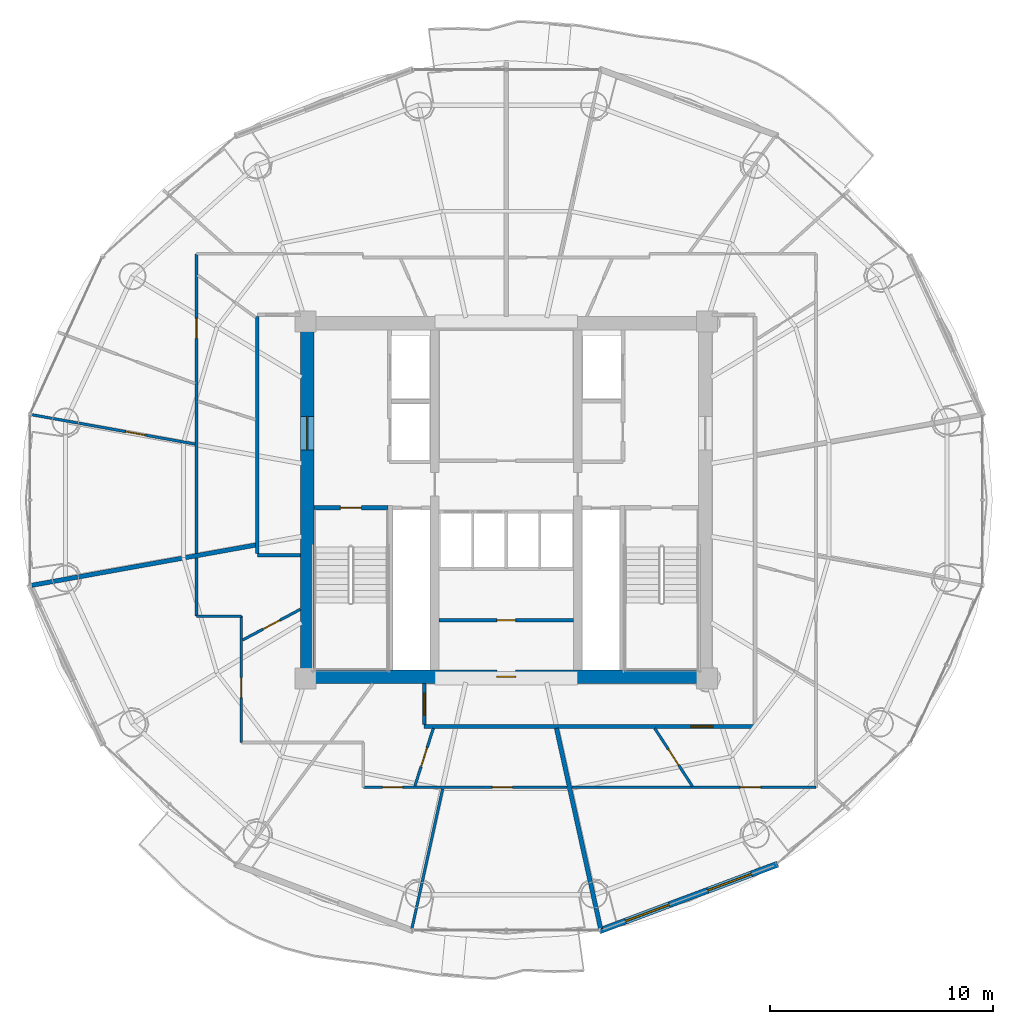
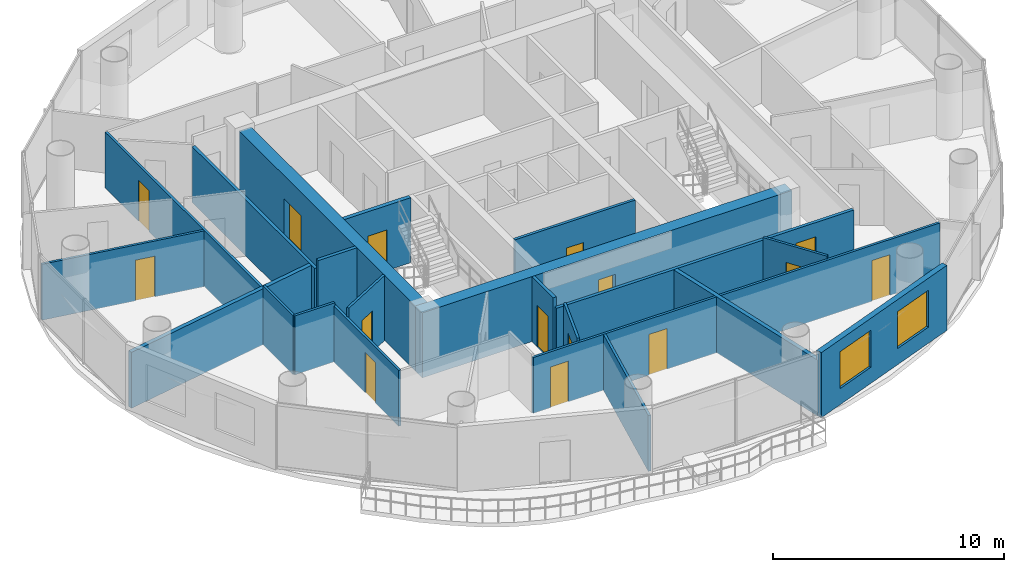
# One storey, part 20 of 27: 22 walls, 15 doors, 2 windows, 17 openings.
"""IFC4 building model written with IfcOpenShell, lengths in metres."""

from ifc_helpers import new_model, si_unit, direction, frame, frame_2d, origin, place, context, subcontext, project, spatial, rectangle, extrude, source, transform, mapped, material, layer, layer_set, type_object, element, fill, save


model = new_model("IFC4")

# Units and contexts
model_context = context("Model", 3, precision=1e-05, world=origin(), true_north=direction((-0.2419218956, 0.970295726276)))
body_context = subcontext(model_context, "Body", "Model", "MODEL_VIEW")
ifc_project = project(units=[si_unit("LENGTHUNIT", "METRE"), si_unit("AREAUNIT", "SQUARE_METRE"), si_unit("VOLUMEUNIT", "CUBIC_METRE"), si_unit("PLANEANGLEUNIT", "RADIAN"), si_unit("MASSUNIT", "GRAM", prefix="KILO")], contexts=[model_context])

# Site, building, storey
site_placement = place(None, origin())
site = spatial("IfcSite", under=ifc_project, at=site_placement, CompositionType="ELEMENT")
building_placement = place(site_placement, origin())
building = spatial("IfcBuilding", under=site, at=building_placement, Name="Cobrevalo Terracotta Tower", CompositionType="ELEMENT")
storey_placement = place(building_placement, frame((0.0, 0.0, 191.199951171875)))
storey = spatial("IfcBuildingStorey", under=building, at=storey_placement, Name="L50", CompositionType="ELEMENT", Elevation=191.199951171875)

# Wall, opening, door
ifc_material_1 = material(Name="Concrete C55", Category="concrete")
ifc_layer_1 = layer(ifc_material_1, 0.60009765625)
ifc_layer_set_1 = layer_set([ifc_layer_1], Name="Concrete C55")
wall_type_1 = type_object("IfcWallType", Name="Core shear wall 600 mm Concrete C55", PredefinedType="SHEAR", material=ifc_layer_set_1)
wall_1_placement = place(storey_placement, frame((28.77490234375, 18.875, 0.0), z_axis=(0.0, 0.0, 1.0), x_axis=(1.0, 0.0, 0.0)))
wall_1 = element("IfcWall", 1, at=wall_1_placement, inside=storey, type_object=wall_type_1, Name="L50 south core shear wall", PredefinedType="SHEAR", context=body_context, shape_type="SweptSolid", body=[
    extrude(rectangle(XDim=18.4501953125, YDim=0.60009765625, at=frame_2d((9.22509765625, 0.0))), origin(), (0.0, 0.0, 1.0), 3.43505859375),
])
opening_1_placement = place(wall_1_placement, frame((8.800048828125, 0.0, 0.0)))
opening_1 = element("IfcOpeningElement", 2, at=opening_1_placement, cuts=wall_1, Name="Opening ID-22", PredefinedType="OPENING", context=body_context, shape_type="SweptSolid", body=[
    extrude(rectangle(XDim=0.85009765625, YDim=2.10009765625, at=frame_2d((0.425048828125, 1.050048828125))), frame((0.0, 0.31005859375, 0.0), z_axis=(0.0, -1.0, 0.0), x_axis=(1.0, 0.0, 0.0)), (0.0, 0.0, 1.0), 0.6201171875),
])
ifc_material_2 = material(Name="Powder-coated steel", Category="steel")
door_type_1 = type_object("IfcDoorType", Name="Riser shaft & meter closet fire access door 850x2100 EI 60", OperationType="NOTDEFINED", PredefinedType="DOOR", material=ifc_material_2)
shared_shape_1 = source(origin(), body_context, "Body", "SweptSolid", [
    extrude(rectangle(XDim=0.85009765625, YDim=2.10009765625, at=frame_2d((0.425048828125, 1.050048828125))), frame((0.0, 0.02490234375, 0.0), z_axis=(0.0, -1.0, 0.0), x_axis=(1.0, 0.0, 0.0)), (0.0, 0.0, 1.0), 0.050048828125),
])
door_1_placement = place(opening_1_placement, origin())
door_1 = element("IfcDoor", 3, at=door_1_placement, inside=storey, type_object=door_type_1, Name="L50 core south plant door Smoke Extract Fan Plant", OperationType="SINGLE_SWING_RIGHT", OverallHeight=2.10009765625, OverallWidth=0.85009765625, PredefinedType="DOOR", context=body_context, shape_type="MappedRepresentation", body=[
    mapped(shared_shape_1, transform((0.0, 0.0, 0.0), scale=1.0)),
])
fill(opening_1, door_1)

wall_2_placement = place(storey_placement, frame((29.074951171875, 19.175048828125, 0.0), z_axis=(0.0, 0.0, 1.0), x_axis=(0.0, 1.0, 0.0)))
wall_2 = element("IfcWall", 4, at=wall_2_placement, inside=storey, type_object=wall_type_1, Name="L50 west core shear wall", PredefinedType="SHEAR", context=body_context, shape_type="SweptSolid", body=[
    extrude(rectangle(XDim=15.25, YDim=0.60009765625, at=frame_2d((7.625, 0.0))), origin(), (0.0, 0.0, 1.0), 3.43505859375),
])
opening_2_placement = place(wall_2_placement, frame((9.875, 0.0, 0.0)))
opening_2 = element("IfcOpeningElement", 5, at=opening_2_placement, cuts=wall_2, Name="Opening ID-14", PredefinedType="OPENING", context=body_context, shape_type="SweptSolid", body=[
    extrude(rectangle(XDim=1.5, YDim=2.199951171875, at=frame_2d((0.75, 1.10009765625))), frame((0.0, 0.31005859375, 0.0), z_axis=(0.0, -1.0, 0.0), x_axis=(1.0, 0.0, 0.0)), (0.0, 0.0, 1.0), 0.6201171875),
])
ifc_material_3 = material(Name="Galvanized fire-rated steel", Category="steel")
door_type_2 = type_object("IfcDoorType", Name="Core cross-lobby double fire door 1500x2200 EI 90", OperationType="NOTDEFINED", PredefinedType="DOOR", material=ifc_material_3)
shared_shape_2 = source(origin(), body_context, "Body", "SweptSolid", [
    extrude(rectangle(XDim=1.5, YDim=2.199951171875, at=frame_2d((0.75, 1.10009765625))), frame((0.0, 0.02490234375, 0.0), z_axis=(0.0, -1.0, 0.0), x_axis=(1.0, 0.0, 0.0)), (0.0, 0.0, 1.0), 0.050048828125),
])
door_2_placement = place(opening_2_placement, origin())
door_2 = element("IfcDoor", 6, at=door_2_placement, inside=storey, type_object=door_type_2, Name="L50 west firefighting lobby entrance door", OperationType="DOUBLE_DOOR_SINGLE_SWING", OverallHeight=2.199951171875, OverallWidth=1.5, PredefinedType="DOOR", context=body_context, shape_type="MappedRepresentation", body=[
    mapped(shared_shape_2, transform((0.0, 0.0, 0.0), scale=1.0)),
])
fill(opening_2, door_2)

# Walls
ifc_material_4 = material(Name="Gypsum board on steel stud", Category="steel")
ifc_layer_2 = layer(ifc_material_4, 0.159912109375)
ifc_layer_set_2 = layer_set([ifc_layer_2], Name="Gypsum board on steel stud")
wall_type_2 = type_object("IfcWallType", Name="Fire-rated corridor acoustic partition wall 160 mm", PredefinedType="PARTITIONING", material=ifc_layer_set_2)
wall_3_placement = place(storey_placement, frame((26.844970703125, 24.39990234375, 0.0), z_axis=(0.0, 0.0, 1.0), x_axis=(0.0, 1.0, 0.0)))
element("IfcWall", 7, at=wall_3_placement, inside=storey, type_object=wall_type_2, Name="L50 interior partition IW-L50-COR-W", PredefinedType="PARTITIONING", context=body_context, shape_type="SweptSolid", body=[
    extrude(rectangle(XDim=10.625, YDim=0.159912109375, at=frame_2d((5.3125, 0.0))), origin(), (0.0, 0.0, 1.0), 2.950927734375),
])
wall_4_placement = place(storey_placement, frame((26.844970703125, 24.320068359375, 0.0), z_axis=(0.0, 0.0, 1.0), x_axis=(1.0, 0.0, 0.0)))
element("IfcWall", 8, at=wall_4_placement, inside=storey, type_object=wall_type_2, Name="L50 interior partition IW-L50-COR-WS-CAP", PredefinedType="PARTITIONING", context=body_context, shape_type="SweptSolid", body=[
    extrude(rectangle(XDim=1.929931640625, YDim=0.159912109375, at=frame_2d((0.96484375, 0.0))), origin(), (0.0, 0.0, 1.0), 3.43505859375),
])

# Wall, opening, door
wall_5_placement = place(storey_placement, frame((34.320068359375, 16.64501953125, 0.0), z_axis=(0.0, 0.0, 1.0), x_axis=(1.0, 0.0, 0.0)))
wall_5 = element("IfcWall", 9, at=wall_5_placement, inside=storey, type_object=wall_type_2, Name="L50 interior partition IW-L50-COR-S", PredefinedType="PARTITIONING", context=body_context, shape_type="SweptSolid", body=[
    extrude(rectangle(XDim=14.8349609375, YDim=0.159912109375, at=frame_2d((7.41748046875, 0.0))), origin(), (0.0, 0.0, 1.0), 2.950927734375),
])
opening_3_placement = place(wall_5_placement, frame((11.96142578125, 0.0, 0.0)))
opening_3 = element("IfcOpeningElement", 10, at=opening_3_placement, cuts=wall_5, Name="Opening ID-05", PredefinedType="OPENING", context=body_context, shape_type="SweptSolid", body=[
    extrude(rectangle(XDim=0.97998046875, YDim=2.199951171875, at=frame_2d((0.489990234375, 1.10009765625))), frame((0.0, 0.08984375, 0.0), z_axis=(0.0, -1.0, 0.0), x_axis=(1.0, 0.0, 0.0)), (0.0, 0.0, 1.0), 0.179931640625),
])
ifc_material_5 = material(Name="Solid hardwood timber", Category="wood")
door_type_3 = type_object("IfcDoorType", Name="Residence entrance fire-rated acoustic timber door 980x2200 EI 60", OperationType="NOTDEFINED", PredefinedType="DOOR", material=ifc_material_5)
shared_shape_3 = source(origin(), body_context, "Body", "SweptSolid", [
    extrude(rectangle(XDim=0.97998046875, YDim=2.199951171875, at=frame_2d((0.489990234375, 1.10009765625))), frame((0.0, 0.02490234375, 0.0), z_axis=(0.0, -1.0, 0.0), x_axis=(1.0, 0.0, 0.0)), (0.0, 0.0, 1.0), 0.050048828125),
])
door_3_placement = place(opening_3_placement, origin())
door_3 = element("IfcDoor", 11, at=door_3_placement, inside=storey, type_object=door_type_3, Name="Flat L50D fire-rated apartment entrance door", OperationType="SINGLE_SWING_LEFT", OverallHeight=2.199951171875, OverallWidth=0.97998046875, PredefinedType="DOOR", context=body_context, shape_type="MappedRepresentation", body=[
    mapped(shared_shape_3, transform((0.0, 0.0, 0.0), scale=1.0)),
])
fill(opening_3, door_3)

wall_6_placement = place(storey_placement, frame((34.320068359375, 16.72509765625, 0.0), z_axis=(0.0, 0.0, 1.0), x_axis=(0.0, 1.0, 0.0)))
wall_6 = element("IfcWall", 12, at=wall_6_placement, inside=storey, type_object=wall_type_2, Name="L50 interior partition IW-L50-COR-SW-CAP", PredefinedType="PARTITIONING", context=body_context, shape_type="SweptSolid", body=[
    extrude(rectangle(XDim=1.849853515625, YDim=0.159912109375, at=frame_2d((0.9248046875, 0.0))), origin(), (0.0, 0.0, 1.0), 3.43505859375),
])
opening_4_placement = place(wall_6_placement, frame((0.43505859375, 0.0, 0.0)))
opening_4 = element("IfcOpeningElement", 13, at=opening_4_placement, cuts=wall_6, Name="Opening ID-05", PredefinedType="OPENING", context=body_context, shape_type="SweptSolid", body=[
    extrude(rectangle(XDim=0.97998046875, YDim=2.199951171875, at=frame_2d((0.489990234375, 1.10009765625))), frame((0.0, 0.08984375, 0.0), z_axis=(0.0, -1.0, 0.0), x_axis=(1.0, 0.0, 0.0)), (0.0, 0.0, 1.0), 0.179931640625),
])
door_4_placement = place(opening_4_placement, origin())
door_4 = element("IfcDoor", 14, at=door_4_placement, inside=storey, type_object=door_type_3, Name="Flat L50C fire-rated apartment entrance door", OperationType="SINGLE_SWING_RIGHT", OverallHeight=2.199951171875, OverallWidth=0.97998046875, PredefinedType="DOOR", context=body_context, shape_type="MappedRepresentation", body=[
    mapped(shared_shape_3, transform((0.0, 0.0, 0.0), scale=1.0)),
])
fill(opening_4, door_4)

# Walls
ifc_material_6 = material(Name="Autoclaved aerated concrete block", Category="concrete")
ifc_layer_3 = layer(ifc_material_6, 0.199951171875)
ifc_layer_set_3 = layer_set([ifc_layer_3], Name="Autoclaved aerated concrete block")
wall_type_3 = type_object("IfcWallType", Name="Fire-rated stair, shaft & demising masonry wall 200 mm", PredefinedType="PARTITIONING", material=ifc_layer_set_3)
wall_7_placement = place(storey_placement, frame((26.764892578125, 24.780517578125, 0.0), z_axis=(0.0, 0.0, 1.0), x_axis=(-0.984226684914, -0.176911934879, 0.0)))
element("IfcWall", 15, at=wall_7_placement, inside=storey, type_object=wall_type_3, Name="L50 interior partition IW-L50-DEM-3", PredefinedType="PARTITIONING", context=body_context, shape_type="SweptSolid", body=[
    extrude(rectangle(XDim=10.202392578125, YDim=0.199951171875, at=frame_2d((5.10107421875, 0.0))), origin(), (0.0, 0.0, 1.0), 2.950927734375),
])
wall_8_placement = place(storey_placement, frame((40.2529296875, 16.56494140625, 0.0), z_axis=(0.0, 0.0, 1.0), x_axis=(0.214957946814, -0.976623305631, 0.0)))
element("IfcWall", 16, at=wall_8_placement, inside=storey, type_object=wall_type_3, Name="L50 interior partition IW-L50-DEM-4", PredefinedType="PARTITIONING", context=body_context, shape_type="SweptSolid", body=[
    extrude(rectangle(XDim=9.201904296875, YDim=0.199951171875, at=frame_2d((4.60107421875, 0.0))), origin(), (0.0, 0.0, 1.0), 2.950927734375),
])

# Wall, openings, windows
ifc_layer_4 = layer(ifc_material_6, 0.280029296875)
ifc_layer_set_4 = layer_set([ifc_layer_4], Name="Autoclaved aerated concrete block")
wall_type_4 = type_object("IfcWallType", Name="Insulated tower spandrel & pier wall 280 mm with terracotta rainscreen", PredefinedType="SOLIDWALL", material=ifc_layer_set_4)
wall_9_placement = place(storey_placement, frame((42.172119140625, 7.47998046875, 0.0), z_axis=(0.0, 0.0, 1.0), x_axis=(0.936556918375, 0.350515532672, 0.0)))
wall_9 = element("IfcWall", 17, at=wall_9_placement, inside=storey, type_object=wall_type_4, Name="L50 terracotta rainscreen pier wall S13", PredefinedType="SOLIDWALL", context=body_context, shape_type="SweptSolid", body=[
    extrude(rectangle(XDim=8.539306640625, YDim=0.280029296875, at=frame_2d((4.26953125, 0.0))), origin(), (0.0, 0.0, 1.0), 3.43505859375),
])
opening_5_placement = place(wall_9_placement, frame((1.255615234375, 0.0, 0.85009765625)))
opening_5 = element("IfcOpeningElement", 18, at=opening_5_placement, cuts=wall_9, Name="Opening WN-10", PredefinedType="OPENING", context=body_context, shape_type="SweptSolid", body=[
    extrude(rectangle(XDim=2.10009765625, YDim=1.949951171875, at=frame_2d((1.050048828125, 0.97509765625))), frame((0.0, 0.14990234375, 0.0), z_axis=(0.0, -1.0, 0.0), x_axis=(1.0, 0.0, 0.0)), (0.0, 0.0, 1.0), 0.300048828125),
])
opening_6_placement = place(wall_9_placement, frame((5.18359375, 0.0, 0.85009765625)))
opening_6 = element("IfcOpeningElement", 19, at=opening_6_placement, cuts=wall_9, Name="Opening WN-10", PredefinedType="OPENING", context=body_context, shape_type="SweptSolid", body=[
    extrude(rectangle(XDim=2.10009765625, YDim=1.949951171875, at=frame_2d((1.050048828125, 0.97509765625))), frame((0.0, 0.14990234375, 0.0), z_axis=(0.0, -1.0, 0.0), x_axis=(1.0, 0.0, 0.0)), (0.0, 0.0, 1.0), 0.300048828125),
])
ifc_material_7 = material(Name="Solar-control low-E double glazing", Category="glass")
window_type = type_object("IfcWindowType", Name="Wide panoramic low-E aluminium window 2100x1950", PartitioningType="SINGLE_PANEL", PredefinedType="WINDOW", material=ifc_material_7)
shared_shape_4 = source(origin(), body_context, "Body", "SweptSolid", [
    extrude(rectangle(XDim=2.10009765625, YDim=1.949951171875, at=frame_2d((1.050048828125, 0.97509765625))), frame((0.0, 0.030029296875, 0.0), z_axis=(0.0, -1.0, 0.0), x_axis=(1.0, 0.0, 0.0)), (0.0, 0.0, 1.0), 0.06005859375),
])
window_1_placement = place(opening_5_placement, origin())
window_1 = element("IfcWindow", 20, at=window_1_placement, inside=storey, type_object=window_type, Name="L50 suite window S13A", OverallHeight=1.949951171875, OverallWidth=2.10009765625, PartitioningType="SINGLE_PANEL", PredefinedType="WINDOW", context=body_context, shape_type="MappedRepresentation", body=[
    mapped(shared_shape_4, transform((0.0, 0.0, 0.0), scale=1.0)),
])
fill(opening_5, window_1)
window_2_placement = place(opening_6_placement, origin())
window_2 = element("IfcWindow", 21, at=window_2_placement, inside=storey, type_object=window_type, Name="L50 suite window S13B", OverallHeight=1.949951171875, OverallWidth=2.10009765625, PartitioningType="SINGLE_PANEL", PredefinedType="WINDOW", context=body_context, shape_type="MappedRepresentation", body=[
    mapped(shared_shape_4, transform((0.0, 0.0, 0.0), scale=1.0)),
])
fill(opening_6, window_2)

# Wall, opening, door
ifc_layer_5 = layer(ifc_material_6, 0.139892578125)
ifc_layer_set_5 = layer_set([ifc_layer_5], Name="Autoclaved aerated concrete block")
wall_type_5 = type_object("IfcWallType", Name="Moisture-resistant wet-room & core service partition 140 mm", PredefinedType="PARTITIONING", material=ifc_layer_set_5)
wall_10_placement = place(storey_placement, frame((34.989990234375, 21.407470703125, 0.0), z_axis=(0.0, 0.0, 1.0), x_axis=(1.0, 0.0, 0.0)))
wall_10 = element("IfcWall", 22, at=wall_10_placement, inside=storey, type_object=wall_type_5, Name="L50 interior partition IW-L50-KVS-H", PredefinedType="PARTITIONING", context=body_context, shape_type="SweptSolid", body=[
    extrude(rectangle(XDim=6.02001953125, YDim=0.139892578125, at=frame_2d((3.010009765625, 0.0))), origin(), (0.0, 0.0, 1.0), 3.43505859375),
])
opening_7_placement = place(wall_10_placement, frame((2.5849609375, 0.0, 0.0)))
opening_7 = element("IfcOpeningElement", 23, at=opening_7_placement, cuts=wall_10, Name="Opening ID-22", PredefinedType="OPENING", context=body_context, shape_type="SweptSolid", body=[
    extrude(rectangle(XDim=0.85009765625, YDim=2.10009765625, at=frame_2d((0.425048828125, 1.050048828125))), frame((0.0, 0.080078125, 0.0), z_axis=(0.0, -1.0, 0.0), x_axis=(1.0, 0.0, 0.0)), (0.0, 0.0, 1.0), 0.159912109375),
])
door_5_placement = place(opening_7_placement, origin())
door_5 = element("IfcDoor", 24, at=door_5_placement, inside=storey, type_object=door_type_1, Name="L50 core manifold inner door", OperationType="SINGLE_SWING_LEFT", OverallHeight=2.10009765625, OverallWidth=0.85009765625, PredefinedType="DOOR", context=body_context, shape_type="MappedRepresentation", body=[
    mapped(shared_shape_1, transform((0.0, 0.0, 0.0), scale=1.0)),
])
fill(opening_7, door_5)

ifc_layer_6 = layer(ifc_material_4, 0.1201171875)
ifc_layer_set_6 = layer_set([ifc_layer_6], Name="Gypsum board on steel stud")
wall_type_6 = type_object("IfcWallType", Name="Residential internal acoustic stud partition 120 mm", PredefinedType="PARTITIONING", material=ifc_layer_set_6)
wall_11_placement = place(storey_placement, frame((24.114990234375, 24.40625, 0.0), z_axis=(0.0, 0.0, 1.0), x_axis=(0.0, 1.0, 0.0)))
wall_11 = element("IfcWall", 25, at=wall_11_placement, inside=storey, type_object=wall_type_6, Name="L50 interior partition IW-L50-U2-RING0_0", PredefinedType="PARTITIONING", context=body_context, shape_type="SweptSolid", body=[
    extrude(rectangle(XDim=13.4287109375, YDim=0.1201171875, at=frame_2d((6.71435546875, 0.0))), origin(), (0.0, 0.0, 1.0), 2.950927734375),
])
opening_8_placement = place(wall_11_placement, frame((9.640869140625, 0.0, 0.0)))
opening_8 = element("IfcOpeningElement", 26, at=opening_8_placement, cuts=wall_11, Name="Opening ID-12", PredefinedType="OPENING", context=body_context, shape_type="SweptSolid", body=[
    extrude(rectangle(XDim=0.89990234375, YDim=2.14990234375, at=frame_2d((0.449951171875, 1.074951171875))), frame((0.0, 0.070068359375, 0.0), z_axis=(0.0, -1.0, 0.0), x_axis=(1.0, 0.0, 0.0)), (0.0, 0.0, 1.0), 0.14013671875),
])
ifc_material_8 = material(Name="Engineered timber", Category="wood")
door_type_4 = type_object("IfcDoorType", Name="Internal residence & suite timber door 900x2150", OperationType="NOTDEFINED", PredefinedType="DOOR", material=ifc_material_8)
shared_shape_5 = source(origin(), body_context, "Body", "SweptSolid", [
    extrude(rectangle(XDim=0.89990234375, YDim=2.14990234375, at=frame_2d((0.449951171875, 1.074951171875))), frame((0.0, 0.02490234375, 0.0), z_axis=(0.0, -1.0, 0.0), x_axis=(1.0, 0.0, 0.0)), (0.0, 0.0, 1.0), 0.050048828125),
])
door_6_placement = place(opening_8_placement, origin())
door_6 = element("IfcDoor", 27, at=door_6_placement, inside=storey, type_object=door_type_4, Name="Flat L50B Master Bedroom internal door", OperationType="SINGLE_SWING_LEFT", OverallHeight=2.14990234375, OverallWidth=0.89990234375, PredefinedType="DOOR", context=body_context, shape_type="MappedRepresentation", body=[
    mapped(shared_shape_5, transform((0.0, 0.0, 0.0), scale=1.0)),
])
fill(opening_8, door_6)

wall_12_placement = place(storey_placement, frame((24.053955078125, 29.306884765625, 0.0), z_axis=(0.0, 0.0, 1.0), x_axis=(-0.984227185588, 0.176909149424, 0.0)))
wall_12 = element("IfcWall", 28, at=wall_12_placement, inside=storey, type_object=wall_type_6, Name="L50 interior partition IW-L50-U2-ORAD3M1", PredefinedType="PARTITIONING", context=body_context, shape_type="SweptSolid", body=[
    extrude(rectangle(XDim=7.447998046875, YDim=0.1201171875, at=frame_2d((3.72412109375, 0.0))), origin(), (0.0, 0.0, 1.0), 2.950927734375),
])
opening_9_placement = place(wall_12_placement, frame((2.263916015625, 0.0, 0.0)))
opening_9 = element("IfcOpeningElement", 29, at=opening_9_placement, cuts=wall_12, Name="Opening ID-12", PredefinedType="OPENING", context=body_context, shape_type="SweptSolid", body=[
    extrude(rectangle(XDim=0.89990234375, YDim=2.14990234375, at=frame_2d((0.449951171875, 1.074951171875))), frame((0.0, 0.070068359375, 0.0), z_axis=(0.0, -1.0, 0.0), x_axis=(1.0, 0.0, 0.0)), (0.0, 0.0, 1.0), 0.14013671875),
])
door_7_placement = place(opening_9_placement, origin())
door_7 = element("IfcDoor", 30, at=door_7_placement, inside=storey, type_object=door_type_4, Name="Flat L50B Penthouse Family Lounge internal door", OperationType="SINGLE_SWING_LEFT", OverallHeight=2.14990234375, OverallWidth=0.89990234375, PredefinedType="DOOR", context=body_context, shape_type="MappedRepresentation", body=[
    mapped(shared_shape_5, transform((0.0, 0.0, 0.0), scale=1.0)),
])
fill(opening_9, door_7)

# Wall, openings, doors
wall_13_placement = place(storey_placement, frame((40.734130859375, 13.9150390625, 0.0), z_axis=(0.0, 0.0, 1.0), x_axis=(-1.0, 0.0, 0.0)))
wall_13 = element("IfcWall", 31, at=wall_13_placement, inside=storey, type_object=wall_type_6, Name="L50 interior partition IW-L50-U3-RING0_0", PredefinedType="PARTITIONING", context=body_context, shape_type="SweptSolid", body=[
    extrude(rectangle(XDim=9.14404296875, YDim=0.1201171875, at=frame_2d((4.572021484375, 0.0))), origin(), (0.0, 0.0, 1.0), 2.950927734375),
])
opening_10_placement = place(wall_13_placement, frame((7.38134765625, 0.0, 0.0)))
opening_10 = element("IfcOpeningElement", 32, at=opening_10_placement, cuts=wall_13, Name="Opening ID-12", PredefinedType="OPENING", context=body_context, shape_type="SweptSolid", body=[
    extrude(rectangle(XDim=0.89990234375, YDim=2.14990234375, at=frame_2d((0.449951171875, 1.074951171875))), frame((0.0, 0.070068359375, 0.0), z_axis=(0.0, -1.0, 0.0), x_axis=(1.0, 0.0, 0.0)), (0.0, 0.0, 1.0), 0.14013671875),
])
opening_11_placement = place(wall_13_placement, frame((2.4580078125, 0.0, 0.0)))
opening_11 = element("IfcOpeningElement", 33, at=opening_11_placement, cuts=wall_13, Name="Opening ID-12", PredefinedType="OPENING", context=body_context, shape_type="SweptSolid", body=[
    extrude(rectangle(XDim=0.89990234375, YDim=2.14990234375, at=frame_2d((0.449951171875, 1.074951171875))), frame((0.0, 0.070068359375, 0.0), z_axis=(0.0, -1.0, 0.0), x_axis=(1.0, 0.0, 0.0)), (0.0, 0.0, 1.0), 0.14013671875),
])
door_8_placement = place(opening_10_placement, origin())
door_8 = element("IfcDoor", 34, at=door_8_placement, inside=storey, type_object=door_type_4, Name="Flat L50C Master Bedroom internal door", OperationType="SINGLE_SWING_LEFT", OverallHeight=2.14990234375, OverallWidth=0.89990234375, PredefinedType="DOOR", context=body_context, shape_type="MappedRepresentation", body=[
    mapped(shared_shape_5, transform((0.0, 0.0, 0.0), scale=1.0)),
])
fill(opening_10, door_8)
door_9_placement = place(opening_11_placement, origin())
door_9 = element("IfcDoor", 35, at=door_9_placement, inside=storey, type_object=door_type_4, Name="Flat L50C Penthouse Family Lounge internal door", OperationType="SINGLE_SWING_RIGHT", OverallHeight=2.14990234375, OverallWidth=0.89990234375, PredefinedType="DOOR", context=body_context, shape_type="MappedRepresentation", body=[
    mapped(shared_shape_5, transform((0.0, 0.0, 0.0), scale=1.0)),
])
fill(opening_11, door_9)

# Wall, opening, door
wall_14_placement = place(storey_placement, frame((26.125, 15.925048828125, 0.0), z_axis=(0.0, 0.0, 1.0), x_axis=(0.0, 1.0, 0.0)))
wall_14 = element("IfcWall", 36, at=wall_14_placement, inside=storey, type_object=wall_type_6, Name="L50 interior partition IW-L50-U3-RING3_0", PredefinedType="PARTITIONING", context=body_context, shape_type="SweptSolid", body=[
    extrude(rectangle(XDim=5.6650390625, YDim=0.1201171875, at=frame_2d((2.83251953125, 0.0))), origin(), (0.0, 0.0, 1.0), 2.950927734375),
])
opening_12_placement = place(wall_14_placement, frame((2.01025390625, 0.0, 0.0)))
opening_12 = element("IfcOpeningElement", 37, at=opening_12_placement, cuts=wall_14, Name="Opening ID-12", PredefinedType="OPENING", context=body_context, shape_type="SweptSolid", body=[
    extrude(rectangle(XDim=0.89990234375, YDim=2.14990234375, at=frame_2d((0.449951171875, 1.074951171875))), frame((0.0, 0.070068359375, 0.0), z_axis=(0.0, -1.0, 0.0), x_axis=(1.0, 0.0, 0.0)), (0.0, 0.0, 1.0), 0.14013671875),
])
door_10_placement = place(opening_12_placement, origin())
door_10 = element("IfcDoor", 38, at=door_10_placement, inside=storey, type_object=door_type_4, Name="Flat L50C Living and Dining Room internal door", OperationType="SINGLE_SWING_LEFT", OverallHeight=2.14990234375, OverallWidth=0.89990234375, PredefinedType="DOOR", context=body_context, shape_type="MappedRepresentation", body=[
    mapped(shared_shape_5, transform((0.0, 0.0, 0.0), scale=1.0)),
])
fill(opening_12, door_10)

# Walls
wall_15_placement = place(storey_placement, frame((26.125, 21.590087890625, 0.0), z_axis=(0.0, 0.0, 1.0), x_axis=(-1.0, 0.0, 0.0)))
element("IfcWall", 39, at=wall_15_placement, inside=storey, type_object=wall_type_6, Name="L50 interior partition IW-L50-U3-RING4_0", PredefinedType="PARTITIONING", context=body_context, shape_type="SweptSolid", body=[
    extrude(rectangle(XDim=2.010009765625, YDim=0.1201171875, at=frame_2d((1.0048828125, 0.0))), origin(), (0.0, 0.0, 1.0), 3.110107421875),
])
wall_16_placement = place(storey_placement, frame((24.114990234375, 21.590087890625, 0.0), z_axis=(0.0, 0.0, 1.0), x_axis=(0.0, 1.0, 0.0)))
element("IfcWall", 40, at=wall_16_placement, inside=storey, type_object=wall_type_6, Name="L50 interior partition IW-L50-U3-RING5_0", PredefinedType="PARTITIONING", context=body_context, shape_type="SweptSolid", body=[
    extrude(rectangle(XDim=2.612060546875, YDim=0.1201171875, at=frame_2d((1.30615234375, 0.0))), origin(), (0.0, 0.0, 1.0), 3.110107421875),
])
wall_17_placement = place(storey_placement, frame((35.150390625, 13.8544921875, 0.0), z_axis=(0.0, 0.0, 1.0), x_axis=(-0.214942949264, -0.976626606519, 0.0)))
element("IfcWall", 41, at=wall_17_placement, inside=storey, type_object=wall_type_6, Name="L50 interior partition IW-L50-U3-ORAD2M1", PredefinedType="PARTITIONING", context=body_context, shape_type="SweptSolid", body=[
    extrude(rectangle(XDim=6.426513671875, YDim=0.1201171875, at=frame_2d((3.21337890625, 0.0))), origin(), (0.0, 0.0, 1.0), 2.950927734375),
])

# Wall, opening, door
wall_18_placement = place(storey_placement, frame((28.77490234375, 21.901123046875, 0.0), z_axis=(0.0, 0.0, 1.0), x_axis=(-0.883156592468, -0.46907828044, 0.0)))
wall_18 = element("IfcWall", 42, at=wall_18_placement, inside=storey, type_object=wall_type_6, Name="L50 interior partition IW-L50-U3-IRAD1", PredefinedType="PARTITIONING", context=body_context, shape_type="SweptSolid", body=[
    extrude(rectangle(XDim=2.9384765625, YDim=0.1201171875, at=frame_2d((1.46923828125, 0.0))), origin(), (0.0, 0.0, 1.0), 3.43505859375),
])
opening_13_placement = place(wall_18_placement, frame((1.039306640625, 0.0, 0.0)))
opening_13 = element("IfcOpeningElement", 43, at=opening_13_placement, cuts=wall_18, Name="Opening ID-19", PredefinedType="OPENING", context=body_context, shape_type="SweptSolid", body=[
    extrude(rectangle(XDim=0.860107421875, YDim=2.14990234375, at=frame_2d((0.43017578125, 1.074951171875))), frame((0.0, 0.070068359375, 0.0), z_axis=(0.0, -1.0, 0.0), x_axis=(1.0, 0.0, 0.0)), (0.0, 0.0, 1.0), 0.14013671875),
])
ifc_material_9 = material(Name="Moisture-sealed timber", Category="wood")
door_type_5 = type_object("IfcDoorType", Name="Suite bathroom internal timber door 860x2150", OperationType="NOTDEFINED", PredefinedType="DOOR", material=ifc_material_9)
shared_shape_6 = source(origin(), body_context, "Body", "SweptSolid", [
    extrude(rectangle(XDim=0.860107421875, YDim=2.14990234375, at=frame_2d((0.43017578125, 1.074951171875))), frame((0.0, 0.02490234375, 0.0), z_axis=(0.0, -1.0, 0.0), x_axis=(1.0, 0.0, 0.0)), (0.0, 0.0, 1.0), 0.050048828125),
])
door_11_placement = place(opening_13_placement, frame((0.860107421875, 0.0, 0.0), z_axis=(0.0, 0.0, 1.0), x_axis=(-1.0, 0.0, 0.0)))
door_11 = element("IfcDoor", 44, at=door_11_placement, inside=storey, type_object=door_type_5, Name="Flat L50C Primary Bathroom internal door", OperationType="SINGLE_SWING_RIGHT", OverallHeight=2.14990234375, OverallWidth=0.860107421875, PredefinedType="DOOR", context=body_context, shape_type="MappedRepresentation", body=[
    mapped(shared_shape_6, transform((0.0, 0.0, 0.0), scale=1.0)),
])
fill(opening_13, door_11)

wall_19_placement = place(storey_placement, frame((34.730224609375, 16.56494140625, 0.0), z_axis=(0.0, 0.0, 1.0), x_axis=(-0.304300161081, -0.952576197459, 0.0)))
wall_19 = element("IfcWall", 45, at=wall_19_placement, inside=storey, type_object=wall_type_6, Name="L50 interior partition IW-L50-U3-IRAD3", PredefinedType="PARTITIONING", context=body_context, shape_type="SweptSolid", body=[
    extrude(rectangle(XDim=2.7197265625, YDim=0.1201171875, at=frame_2d((1.35986328125, 0.0))), origin(), (0.0, 0.0, 1.0), 3.110107421875),
])
opening_14_placement = place(wall_19_placement, frame((0.909912109375, 0.0, 0.0)))
opening_14 = element("IfcOpeningElement", 46, at=opening_14_placement, cuts=wall_19, Name="Opening ID-12", PredefinedType="OPENING", context=body_context, shape_type="SweptSolid", body=[
    extrude(rectangle(XDim=0.89990234375, YDim=2.14990234375, at=frame_2d((0.449951171875, 1.074951171875))), frame((0.0, 0.070068359375, 0.0), z_axis=(0.0, -1.0, 0.0), x_axis=(1.0, 0.0, 0.0)), (0.0, 0.0, 1.0), 0.14013671875),
])
door_12_placement = place(opening_14_placement, origin())
door_12 = element("IfcDoor", 47, at=door_12_placement, inside=storey, type_object=door_type_4, Name="Flat L50C Home Office Study internal door", OperationType="SINGLE_SWING_RIGHT", OverallHeight=2.14990234375, OverallWidth=0.89990234375, PredefinedType="DOOR", context=body_context, shape_type="MappedRepresentation", body=[
    mapped(shared_shape_5, transform((0.0, 0.0, 0.0), scale=1.0)),
])
fill(opening_14, door_12)

wall_20_placement = place(storey_placement, frame((51.885009765625, 13.9150390625, 0.0), z_axis=(0.0, 0.0, 1.0), x_axis=(-1.0, 0.0, 0.0)))
wall_20 = element("IfcWall", 48, at=wall_20_placement, inside=storey, type_object=wall_type_6, Name="L50 interior partition IW-L50-U4-RING1_0", PredefinedType="PARTITIONING", context=body_context, shape_type="SweptSolid", body=[
    extrude(rectangle(XDim=10.94677734375, YDim=0.1201171875, at=frame_2d((5.473388671875, 0.0))), origin(), (0.0, 0.0, 1.0), 2.950927734375),
])
opening_15_placement = place(wall_20_placement, frame((2.486083984375, 0.0, 0.0)))
opening_15 = element("IfcOpeningElement", 49, at=opening_15_placement, cuts=wall_20, Name="Opening ID-12", PredefinedType="OPENING", context=body_context, shape_type="SweptSolid", body=[
    extrude(rectangle(XDim=0.89990234375, YDim=2.14990234375, at=frame_2d((0.449951171875, 1.074951171875))), frame((0.0, 0.070068359375, 0.0), z_axis=(0.0, -1.0, 0.0), x_axis=(1.0, 0.0, 0.0)), (0.0, 0.0, 1.0), 0.14013671875),
])
door_13_placement = place(opening_15_placement, origin())
door_13 = element("IfcDoor", 50, at=door_13_placement, inside=storey, type_object=door_type_4, Name="Flat L50D Living and Dining Room internal door", OperationType="SINGLE_SWING_LEFT", OverallHeight=2.14990234375, OverallWidth=0.89990234375, PredefinedType="DOOR", context=body_context, shape_type="MappedRepresentation", body=[
    mapped(shared_shape_5, transform((0.0, 0.0, 0.0), scale=1.0)),
])
fill(opening_15, door_13)

wall_21_placement = place(storey_placement, frame((44.656005859375, 16.56494140625, 0.0), z_axis=(0.0, 0.0, 1.0), x_axis=(0.545173870382, -0.838322999239, 0.0)))
wall_21 = element("IfcWall", 51, at=wall_21_placement, inside=storey, type_object=wall_type_6, Name="L50 interior partition IW-L50-U4-IRAD1", PredefinedType="PARTITIONING", context=body_context, shape_type="SweptSolid", body=[
    extrude(rectangle(XDim=3.098876953125, YDim=0.1201171875, at=frame_2d((1.54931640625, 0.0))), origin(), (0.0, 0.0, 1.0), 3.110107421875),
])
opening_16_placement = place(wall_21_placement, frame((1.119384765625, 0.0, 0.0)))
opening_16 = element("IfcOpeningElement", 52, at=opening_16_placement, cuts=wall_21, Name="Opening ID-19", PredefinedType="OPENING", context=body_context, shape_type="SweptSolid", body=[
    extrude(rectangle(XDim=0.860107421875, YDim=2.14990234375, at=frame_2d((0.43017578125, 1.074951171875))), frame((0.0, 0.070068359375, 0.0), z_axis=(0.0, -1.0, 0.0), x_axis=(1.0, 0.0, 0.0)), (0.0, 0.0, 1.0), 0.14013671875),
])
door_14_placement = place(opening_16_placement, frame((0.860107421875, 0.0, 0.0), z_axis=(0.0, 0.0, 1.0), x_axis=(-1.0, 0.0, 0.0)))
door_14 = element("IfcDoor", 53, at=door_14_placement, inside=storey, type_object=door_type_5, Name="Flat L50D Primary Bathroom internal door", OperationType="SINGLE_SWING_RIGHT", OverallHeight=2.14990234375, OverallWidth=0.860107421875, PredefinedType="DOOR", context=body_context, shape_type="MappedRepresentation", body=[
    mapped(shared_shape_6, transform((0.0, 0.0, 0.0), scale=1.0)),
])
fill(opening_16, door_14)

ifc_material_10 = material(Name="Concrete C50", Category="concrete")
ifc_layer_7 = layer(ifc_material_10, 0.199951171875)
ifc_layer_set_7 = layer_set([ifc_layer_7], Name="Concrete C50")
wall_type_7 = type_object("IfcWallType", Name="Structural core & podium stair-shaft RC wall 200 mm Concrete C50", PredefinedType="SOLIDWALL", material=ifc_layer_set_7)
wall_22_placement = place(storey_placement, frame((29.375, 26.449951171875, 0.0), z_axis=(0.0, 0.0, 1.0), x_axis=(1.0, 0.0, 0.0)))
wall_22 = element("IfcWall", 54, at=wall_22_placement, inside=storey, type_object=wall_type_7, Name="L50 ST-1 north structural shaft wall", PredefinedType="SOLIDWALL", context=body_context, shape_type="SweptSolid", body=[
    extrude(rectangle(XDim=3.320068359375, YDim=0.199951171875, at=frame_2d((1.66015625, 0.0))), origin(), (0.0, 0.0, 1.0), 3.43505859375),
])
opening_17_placement = place(wall_22_placement, frame((1.18505859375, 0.0, 0.0)))
opening_17 = element("IfcOpeningElement", 55, at=opening_17_placement, cuts=wall_22, Name="Opening ID-04", PredefinedType="OPENING", context=body_context, shape_type="SweptSolid", body=[
    extrude(rectangle(XDim=0.949951171875, YDim=2.14990234375, at=frame_2d((0.47509765625, 1.074951171875))), frame((0.0, 0.10986328125, 0.0), z_axis=(0.0, -1.0, 0.0), x_axis=(1.0, 0.0, 0.0)), (0.0, 0.0, 1.0), 0.219970703125),
])
door_type_6 = type_object("IfcDoorType", Name="Stair & firefighting lobby fire door 950x2150 EI 90", OperationType="NOTDEFINED", PredefinedType="DOOR", material=ifc_material_3)
shared_shape_7 = source(origin(), body_context, "Body", "SweptSolid", [
    extrude(rectangle(XDim=0.949951171875, YDim=2.14990234375, at=frame_2d((0.47509765625, 1.074951171875))), frame((0.0, 0.02490234375, 0.0), z_axis=(0.0, -1.0, 0.0), x_axis=(1.0, 0.0, 0.0)), (0.0, 0.0, 1.0), 0.050048828125),
])
door_15_placement = place(opening_17_placement, origin())
door_15 = element("IfcDoor", 56, at=door_15_placement, inside=storey, type_object=door_type_6, Name="L50 protected stair ST1 fire door", OperationType="SINGLE_SWING_LEFT", OverallHeight=2.14990234375, OverallWidth=0.949951171875, PredefinedType="DOOR", context=body_context, shape_type="MappedRepresentation", body=[
    mapped(shared_shape_7, transform((0.0, 0.0, 0.0), scale=1.0)),
])
fill(opening_17, door_15)

save(model, "model.ifc")
